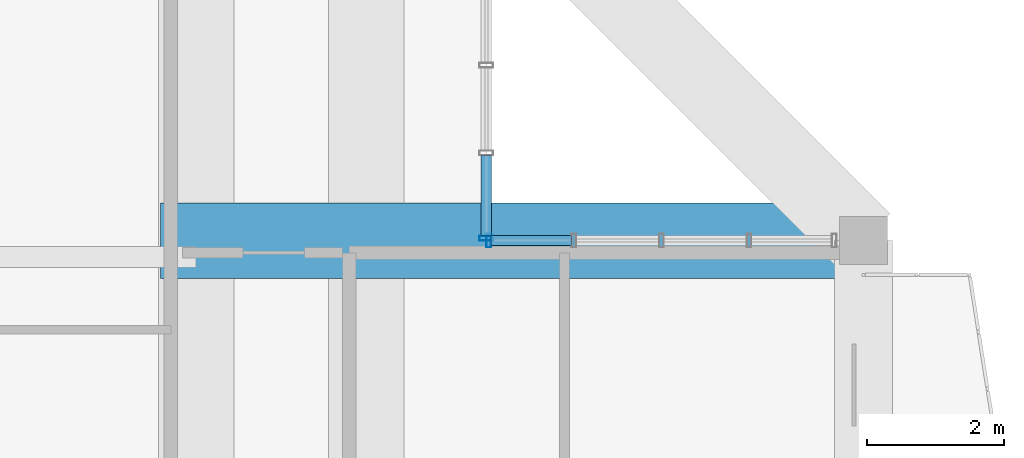
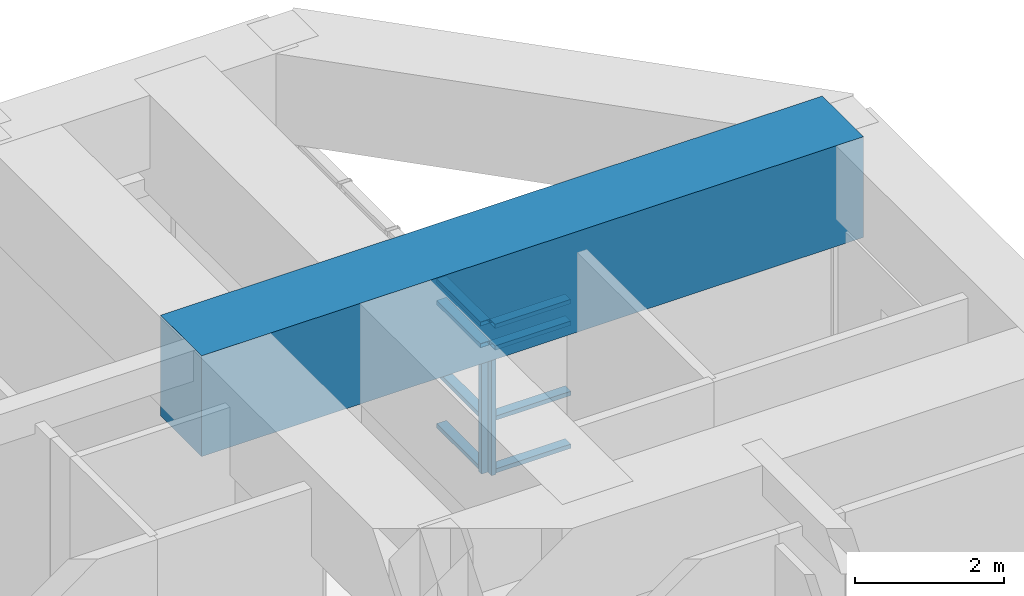
# One storey, part 10 of 27: 10 members, 1 beam, 2 elements without a shape of their own.
"""IFC4 building model written with IfcOpenShell, lengths in metres."""

from ifc_helpers import new_model, si_unit, direction, frame, origin, origin_2d, place, context, subcontext, project, spatial, rectangle, hollow_rectangle, extrude, source, transform, mapped, material, layer, layer_set, material_profile, profile_set, type_object, element, aggregate, save


model = new_model("IFC4")

# Units and contexts
model_context = context("Model", 3, precision=1e-05, world=origin(), true_north=direction((0.0, 1.0)))
body_context = subcontext(model_context, "Body", "Model", "MODEL_VIEW")
ifc_project = project(units=[si_unit("LENGTHUNIT", "METRE"), si_unit("AREAUNIT", "SQUARE_METRE"), si_unit("VOLUMEUNIT", "CUBIC_METRE"), si_unit("PLANEANGLEUNIT", "RADIAN"), si_unit("MASSUNIT", "GRAM", prefix="KILO")], contexts=[model_context])

# Site, building, storey
site_placement = place(None, origin())
site = spatial("IfcSite", under=ifc_project, at=site_placement, CompositionType="ELEMENT")
building_placement = place(site_placement, origin())
building = spatial("IfcBuilding", under=site, at=building_placement, Name="Saelheon Loggia Tower", CompositionType="ELEMENT")
storey_placement = place(building_placement, frame((0.0, 0.0, 236.10009765625)))
storey = spatial("IfcBuildingStorey", under=building, at=storey_placement, Name="L73", CompositionType="ELEMENT", Elevation=236.10009765625)

# Beam
ifc_material_1 = material(Name="Concrete C50/60", Category="concrete")
ifc_material_profile_1 = material_profile(ifc_material_1, rectangle(XDim=1.10009765625, YDim=1.64990234375, at=origin_2d()), Name="RC-1100x1650")
ifc_profile_set_1 = profile_set([ifc_material_profile_1], Name="Concrete C50/60")
beam_type = type_object("IfcBeamType", Name="Beam_MegaTransfer_RC1100x1650", PredefinedType="BEAM", material=ifc_profile_set_1)
shared_shape_1 = source(origin(), body_context, "Body", "SweptSolid", [
    extrude(rectangle(XDim=1.10009765625, YDim=1.64990234375, at=origin_2d()), origin(), (0.0, 0.0, 1.0), 10.25),
])
beam_placement = place(storey_placement, frame((44.5, 42.5, 3.074951171875), z_axis=(1.0, 0.0, 0.0), x_axis=(0.0, 1.0, 0.0)))
element("IfcBeam", 1, at=beam_placement, inside=storey, type_object=beam_type, Name="TG-L73-SH-NE", PredefinedType="BEAM", context=body_context, shape_type="MappedRepresentation", body=[
    mapped(shared_shape_1, transform((0.0, 0.0, 0.0), scale=1.0)),
])

# Curtain wall, member
ifc_material_2 = material(Name="High-Wind Aluminium and Triple Laminated Glass", Category="aluminium")
ifc_layer = layer(ifc_material_2, 0.179931640625)
ifc_layer_set = layer_set([ifc_layer], Name="High-Wind Aluminium and Triple Laminated Glass")
curtain_wall_type = type_object("IfcCurtainWallType", Name="CW_TowerLoggiaHigh", PredefinedType="NOTDEFINED", material=ifc_layer_set)
curtain_wall_1_placement = place(storey_placement, origin())
curtain_wall_1 = element("IfcCurtainWall", 2, at=curtain_wall_1_placement, inside=storey, type_object=curtain_wall_type, Name="L73 Corner Notch Glazing NE1", PredefinedType="NOTDEFINED")
ifc_material_3 = material(Name="Anodised Aluminium 6063-T6", Category="aluminium")
ifc_material_profile_2 = material_profile(ifc_material_3, hollow_rectangle(XDim=0.070068359375, YDim=0.199951171875, WallThickness=0.0048828125, at=origin_2d()), Name="RHS-200x70x5")
ifc_profile_set_2 = profile_set([ifc_material_profile_2], Name="Anodised Aluminium 6063-T6")
member_type_1 = type_object("IfcMemberType", Name="CW_TowerLoggiaHigh_Mullion", PredefinedType="MULLION", material=ifc_profile_set_2)
shared_shape_2 = source(origin(), body_context, "Body", "SweptSolid", [
    extrude(hollow_rectangle(XDim=0.070068359375, YDim=0.199951171875, WallThickness=0.0048828125, at=origin_2d()), origin(), (0.0, 0.0, 1.0), 2.43994140625),
])
member_1_placement = place(storey_placement, frame((49.25, 42.534912109375, 0.0), z_axis=(0.0, 0.0, 1.0), x_axis=(0.0, 1.0, 0.0)))
member_1 = element("IfcMember", 3, at=member_1_placement, type_object=member_type_1, Name="CW4 mullion 1", PredefinedType="MULLION", context=body_context, shape_type="MappedRepresentation", body=[
    mapped(shared_shape_2, transform((0.0, 0.0, 0.0), scale=1.0)),
])

curtain_wall_2_placement = place(storey_placement, origin())
curtain_wall_2 = element("IfcCurtainWall", 4, at=curtain_wall_2_placement, inside=storey, type_object=curtain_wall_type, Name="L73 Corner Notch Glazing NE2", PredefinedType="NOTDEFINED")
member_2_placement = place(storey_placement, frame((49.284912109375, 42.5, 0.0), z_axis=(0.0, 0.0, 1.0), x_axis=(1.0, 0.0, 0.0)))
member_2 = element("IfcMember", 5, at=member_2_placement, type_object=member_type_1, Name="CW4 mullion 1", PredefinedType="MULLION", context=body_context, shape_type="MappedRepresentation", body=[
    mapped(shared_shape_2, transform((0.0, 0.0, 0.0), scale=1.0)),
])

# Member
ifc_material_profile_3 = material_profile(ifc_material_3, hollow_rectangle(XDim=0.070068359375, YDim=0.14990234375, WallThickness=0.0048828125, at=origin_2d()), Name="RHS-150x70x5")
ifc_profile_set_3 = profile_set([ifc_material_profile_3], Name="Anodised Aluminium 6063-T6")
member_type_2 = type_object("IfcMemberType", Name="CW_TowerLoggiaHigh_Transom", PredefinedType="USERDEFINED", material=ifc_profile_set_3)
shared_shape_3 = source(origin(), body_context, "Body", "SweptSolid", [
    extrude(hollow_rectangle(XDim=0.070068359375, YDim=0.14990234375, WallThickness=0.0048828125, at=origin_2d()), origin(), (0.0, 0.0, 1.0), 1.17236328125),
])
member_3_placement = place(storey_placement, frame((49.25, 42.570068359375, 0.034912109375), z_axis=(0.0, 1.0, 0.0), x_axis=(0.0, 0.0, 1.0)))
member_3 = element("IfcMember", 6, at=member_3_placement, type_object=member_type_2, Name="CW4 transom 1.1", ObjectType="TRANSOM", PredefinedType="USERDEFINED", context=body_context, shape_type="MappedRepresentation", body=[
    mapped(shared_shape_3, transform((0.0, 0.0, 0.0), scale=1.0)),
])

member_4_placement = place(storey_placement, frame((49.25, 42.570068359375, 0.89990234375), z_axis=(0.0, 1.0, 0.0), x_axis=(0.0, 0.0, 1.0)))
member_4 = element("IfcMember", 7, at=member_4_placement, type_object=member_type_2, Name="CW4 transom 1.2", ObjectType="TRANSOM", PredefinedType="USERDEFINED", context=body_context, shape_type="MappedRepresentation", body=[
    mapped(shared_shape_3, transform((0.0, 0.0, 0.0), scale=1.0)),
])

member_5_placement = place(storey_placement, frame((49.25, 42.570068359375, 2.0498046875), z_axis=(0.0, 1.0, 0.0), x_axis=(0.0, 0.0, 1.0)))
member_5 = element("IfcMember", 8, at=member_5_placement, type_object=member_type_2, Name="CW4 transom 1.3", ObjectType="TRANSOM", PredefinedType="USERDEFINED", context=body_context, shape_type="MappedRepresentation", body=[
    mapped(shared_shape_3, transform((0.0, 0.0, 0.0), scale=1.0)),
])

member_6_placement = place(storey_placement, frame((49.25, 42.570068359375, 2.40478515625), z_axis=(0.0, 1.0, 0.0), x_axis=(0.0, 0.0, 1.0)))
member_6 = element("IfcMember", 9, at=member_6_placement, type_object=member_type_2, Name="CW4 transom 1.4", ObjectType="TRANSOM", PredefinedType="USERDEFINED", context=body_context, shape_type="MappedRepresentation", body=[
    mapped(shared_shape_3, transform((0.0, 0.0, 0.0), scale=1.0)),
])

aggregate(curtain_wall_1, [member_1, member_3, member_4, member_5, member_6])

member_7_placement = place(storey_placement, frame((49.320068359375, 42.5, 0.034912109375), z_axis=(1.0, 0.0, 0.0), x_axis=(0.0, 0.0, 1.0)))
member_7 = element("IfcMember", 10, at=member_7_placement, type_object=member_type_2, Name="CW4 transom 1.1", ObjectType="TRANSOM", PredefinedType="USERDEFINED", context=body_context, shape_type="MappedRepresentation", body=[
    mapped(shared_shape_3, transform((0.0, 0.0, 0.0), scale=1.0)),
])

member_8_placement = place(storey_placement, frame((49.320068359375, 42.5, 0.89990234375), z_axis=(1.0, 0.0, 0.0), x_axis=(0.0, 0.0, 1.0)))
member_8 = element("IfcMember", 11, at=member_8_placement, type_object=member_type_2, Name="CW4 transom 1.2", ObjectType="TRANSOM", PredefinedType="USERDEFINED", context=body_context, shape_type="MappedRepresentation", body=[
    mapped(shared_shape_3, transform((0.0, 0.0, 0.0), scale=1.0)),
])

member_9_placement = place(storey_placement, frame((49.320068359375, 42.5, 2.0498046875), z_axis=(1.0, 0.0, 0.0), x_axis=(0.0, 0.0, 1.0)))
member_9 = element("IfcMember", 12, at=member_9_placement, type_object=member_type_2, Name="CW4 transom 1.3", ObjectType="TRANSOM", PredefinedType="USERDEFINED", context=body_context, shape_type="MappedRepresentation", body=[
    mapped(shared_shape_3, transform((0.0, 0.0, 0.0), scale=1.0)),
])

member_10_placement = place(storey_placement, frame((49.320068359375, 42.5, 2.40478515625), z_axis=(1.0, 0.0, 0.0), x_axis=(0.0, 0.0, 1.0)))
member_10 = element("IfcMember", 13, at=member_10_placement, type_object=member_type_2, Name="CW4 transom 1.4", ObjectType="TRANSOM", PredefinedType="USERDEFINED", context=body_context, shape_type="MappedRepresentation", body=[
    mapped(shared_shape_3, transform((0.0, 0.0, 0.0), scale=1.0)),
])

aggregate(curtain_wall_2, [member_2, member_7, member_8, member_9, member_10])

save(model, "model.ifc")
